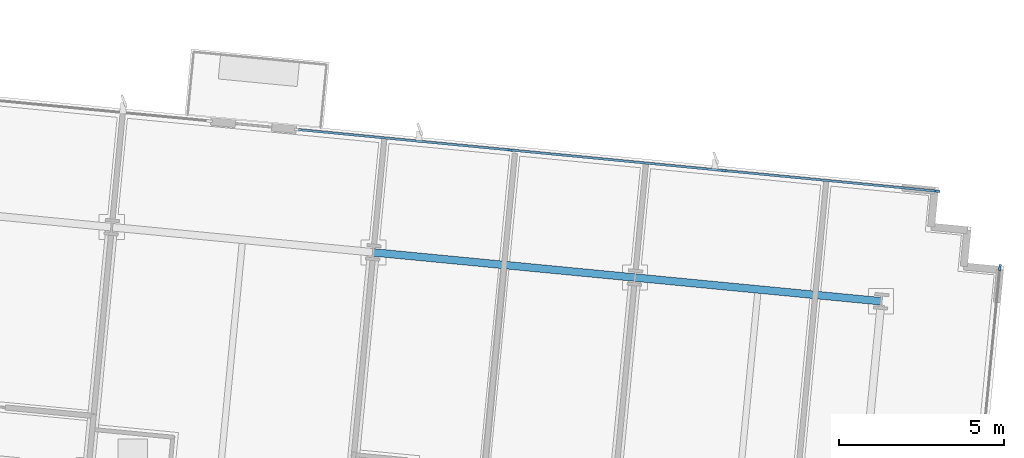
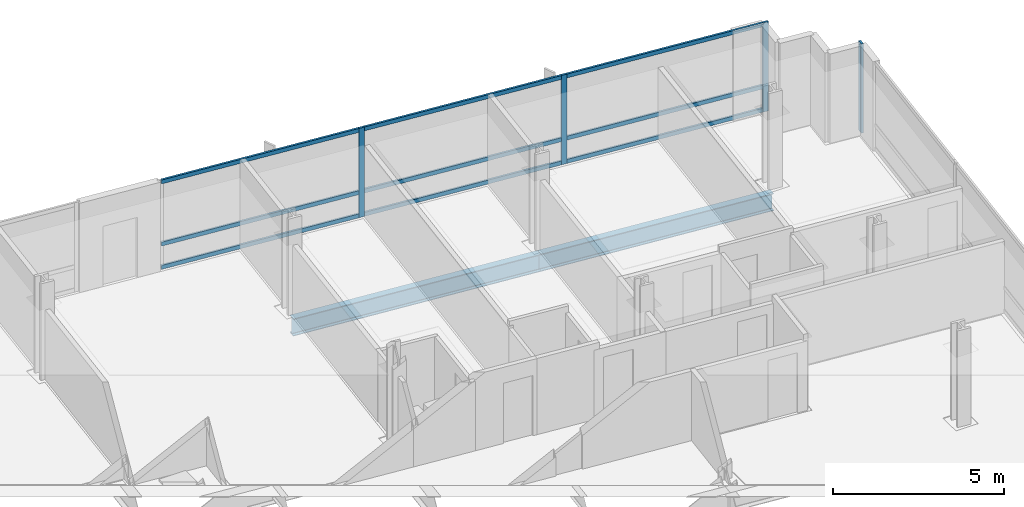
# One storey, part 8 of 17: 13 members, 2 beams, 2 elements without a shape of their own.
"""IFC4 building model written with IfcOpenShell, lengths in metres."""

from ifc_helpers import new_model, si_unit, direction, frame, origin, origin_2d, place, context, subcontext, project, spatial, rectangle, i_section, extrude, material, material_profile, profile_set, type_object, element, aggregate, save


model = new_model("IFC4")

# Units and contexts
model_context = context("Model", 3, precision=1e-05, world=origin(), true_north=direction((0.0, 1.0)))
body_context = subcontext(model_context, "Body", "Model", "MODEL_VIEW")
ifc_project = project(units=[si_unit("LENGTHUNIT", "METRE"), si_unit("AREAUNIT", "SQUARE_METRE"), si_unit("VOLUMEUNIT", "CUBIC_METRE"), si_unit("PLANEANGLEUNIT", "RADIAN"), si_unit("MASSUNIT", "GRAM", prefix="KILO")], contexts=[model_context])

# Site, building, storey
site_placement = place(None, origin())
site = spatial("IfcSite", under=ifc_project, at=site_placement, CompositionType="ELEMENT")
building_placement = place(site_placement, origin())
building = spatial("IfcBuilding", under=site, at=building_placement, Name="Solmavex Isthmus Hotel", CompositionType="ELEMENT")
storey_placement = place(building_placement, frame((0.0, 0.0, 139.35009765625)))
storey = spatial("IfcBuildingStorey", under=building, at=storey_placement, Name="L37", CompositionType="ELEMENT", Elevation=139.35009765625)

# Beams
ifc_material_1 = material(Name="Steel ASTM A992 Grade 50", Category="steel")
ifc_material_profile_1 = material_profile(ifc_material_1, i_section(OverallWidth=0.230224609375, OverallDepth=0.617431640625, WebThickness=0.01318359375, FlangeThickness=0.022216796875, FilletRadius=0.01513671875, at=origin_2d()), Name="W24X94")
ifc_profile_set_1 = profile_set([ifc_material_profile_1], Name="Steel ASTM A992 Grade 50")
beam_type = type_object("IfcBeamType", Name="BM-SP-W24X94", PredefinedType="SPANDREL", material=ifc_profile_set_1)
beam_1_placement = place(storey_placement, frame((9.1953125, 17.966552734375, -0.56884765625), z_axis=(0.995397440011, -0.095832856685, 0.0), x_axis=(0.095832856685, 0.995397440011, 0.0)))
element("IfcBeam", 1, at=beam_1_placement, inside=storey, type_object=beam_type, Name="Floor Girder L37-UG19", PredefinedType="SPANDREL", context=body_context, shape_type="SweptSolid", body=[
    extrude(i_section(OverallWidth=0.230224609375, OverallDepth=0.617431640625, WebThickness=0.01318359375, FlangeThickness=0.022216796875, FilletRadius=0.01513671875, at=origin_2d()), origin(), (0.0, 0.0, 1.0), 7.9560546875),
])
beam_2_placement = place(storey_placement, frame((17.11474609375, 17.2041015625, -0.56884765625), z_axis=(0.995395279593, -0.095855293875, 0.0), x_axis=(0.095855293875, 0.995395279593, 0.0)))
element("IfcBeam", 2, at=beam_2_placement, inside=storey, type_object=beam_type, Name="Floor Girder L37-UG20", PredefinedType="SPANDREL", context=body_context, shape_type="SweptSolid", body=[
    extrude(i_section(OverallWidth=0.230224609375, OverallDepth=0.617431640625, WebThickness=0.01318359375, FlangeThickness=0.022216796875, FilletRadius=0.01513671875, at=origin_2d()), origin(), (0.0, 0.0, 1.0), 7.488037109375),
])

# Curtain wall, members
ifc_material_2 = material(Name="Aluminium alloy 6063-T6", Category="aluminium")
curtain_wall_type = type_object("IfcCurtainWallType", Name="CW-SYS-03", PredefinedType="NOTDEFINED", material=ifc_material_2)
curtain_wall_1_placement = place(storey_placement, origin())
curtain_wall_1 = element("IfcCurtainWall", 3, at=curtain_wall_1_placement, inside=storey, type_object=curtain_wall_type, Name="Stick Curtain Wall CWL-L37-N3", PredefinedType="NOTDEFINED")
ifc_material_profile_2 = material_profile(ifc_material_2, rectangle(XDim=0.070068359375, YDim=0.179931640625, at=origin_2d()), Name="CWM-70X180")
ifc_profile_set_2 = profile_set([ifc_material_profile_2], Name="Aluminium alloy 6063-T6")
member_type_1 = type_object("IfcMemberType", Name="CW-SYS-03-MUL", PredefinedType="MULLION", material=ifc_profile_set_2)
member_1_placement = place(storey_placement, frame((13.340576171875, 21.0634765625, 0.0), z_axis=(0.0, 0.0, 1.0), x_axis=(0.095845735304, 0.995396200025, 0.0)))
member_1 = element("IfcMember", 4, at=member_1_placement, type_object=member_type_1, Name="CW-03 mullion 2", PredefinedType="MULLION", context=body_context, shape_type="SweptSolid", body=[
    extrude(rectangle(XDim=0.070068359375, YDim=0.179931640625, at=origin_2d()), origin(), (0.0, 0.0, 1.0), 3.18994140625),
])
member_2_placement = place(storey_placement, frame((19.818115234375, 20.439697265625, 0.0), z_axis=(0.0, 0.0, 1.0), x_axis=(0.095845735304, 0.995396200025, 0.0)))
member_2 = element("IfcMember", 5, at=member_2_placement, type_object=member_type_1, Name="CW-03 mullion 3", PredefinedType="MULLION", context=body_context, shape_type="SweptSolid", body=[
    extrude(rectangle(XDim=0.070068359375, YDim=0.179931640625, at=origin_2d()), origin(), (0.0, 0.0, 1.0), 3.18994140625),
])
member_3_placement = place(storey_placement, frame((26.260498046875, 19.819580078125, 0.0), z_axis=(0.0, 0.0, 1.0), x_axis=(0.095845735304, 0.995396200025, 0.0)))
member_3 = element("IfcMember", 6, at=member_3_placement, type_object=member_type_1, Name="CW-03 mullion 4", PredefinedType="MULLION", context=body_context, shape_type="SweptSolid", body=[
    extrude(rectangle(XDim=0.070068359375, YDim=0.179931640625, at=origin_2d()), origin(), (0.0, 0.0, 1.0), 3.18994140625),
])

# Curtain wall, member
curtain_wall_2_placement = place(storey_placement, origin())
curtain_wall_2 = element("IfcCurtainWall", 7, at=curtain_wall_2_placement, inside=storey, type_object=curtain_wall_type, Name="Stick Curtain Wall CWL-L37-E1", PredefinedType="NOTDEFINED")
member_4_placement = place(storey_placement, frame((28.1630859375, 17.511474609375, 0.0), z_axis=(0.0, 0.0, 1.0), x_axis=(-0.995396190038, 0.09584583902, 0.0)))
member_4 = element("IfcMember", 8, at=member_4_placement, type_object=member_type_1, Name="CW-03 mullion 6", PredefinedType="MULLION", context=body_context, shape_type="SweptSolid", body=[
    extrude(rectangle(XDim=0.070068359375, YDim=0.179931640625, at=origin_2d()), origin(), (0.0, 0.0, 1.0), 3.18994140625),
])
aggregate(curtain_wall_2, [member_4])

# Member
ifc_material_profile_3 = material_profile(ifc_material_2, rectangle(XDim=0.070068359375, YDim=0.139892578125, at=origin_2d()), Name="CWT-70X140")
ifc_profile_set_3 = profile_set([ifc_material_profile_3], Name="Aluminium alloy 6063-T6")
member_type_2 = type_object("IfcMemberType", Name="CW-SYS-03-TRN", PredefinedType="USERDEFINED", material=ifc_profile_set_3)
member_5_placement = place(storey_placement, frame((6.932861328125, 21.680419921875, 0.06982421875), z_axis=(0.995398123793, -0.095825754103, 0.0), x_axis=(0.095825754103, 0.995398123793, 0.0)))
member_5 = element("IfcMember", 9, at=member_5_placement, type_object=member_type_2, Name="CW-03 transom 1.1", ObjectType="TRANSOM", PredefinedType="USERDEFINED", context=body_context, shape_type="SweptSolid", body=[
    extrude(rectangle(XDim=0.070068359375, YDim=0.139892578125, at=origin_2d()), origin(), (0.0, 0.0, 1.0), 6.402587890625),
])

member_6_placement = place(storey_placement, frame((6.932861328125, 21.680419921875, 0.89990234375), z_axis=(0.995398123793, -0.095825754103, 0.0), x_axis=(0.095825754103, 0.995398123793, 0.0)))
member_6 = element("IfcMember", 10, at=member_6_placement, type_object=member_type_2, Name="CW-03 transom 1.2", ObjectType="TRANSOM", PredefinedType="USERDEFINED", context=body_context, shape_type="SweptSolid", body=[
    extrude(rectangle(XDim=0.070068359375, YDim=0.139892578125, at=origin_2d()), origin(), (0.0, 0.0, 1.0), 6.402587890625),
])

member_7_placement = place(storey_placement, frame((6.932861328125, 21.680419921875, 3.119873046875), z_axis=(0.995398123793, -0.095825754103, 0.0), x_axis=(0.095825754103, 0.995398123793, 0.0)))
member_7 = element("IfcMember", 11, at=member_7_placement, type_object=member_type_2, Name="CW-03 transom 1.3", ObjectType="TRANSOM", PredefinedType="USERDEFINED", context=body_context, shape_type="SweptSolid", body=[
    extrude(rectangle(XDim=0.070068359375, YDim=0.139892578125, at=origin_2d()), origin(), (0.0, 0.0, 1.0), 6.402587890625),
])

member_8_placement = place(storey_placement, frame((13.37548828125, 21.06005859375, 0.06982421875), z_axis=(0.995396930529, -0.095838148421, 0.0), x_axis=(0.095838148421, 0.995396930529, 0.0)))
member_8 = element("IfcMember", 12, at=member_8_placement, type_object=member_type_2, Name="CW-03 transom 2.1", ObjectType="TRANSOM", PredefinedType="USERDEFINED", context=body_context, shape_type="SweptSolid", body=[
    extrude(rectangle(XDim=0.070068359375, YDim=0.139892578125, at=origin_2d()), origin(), (0.0, 0.0, 1.0), 6.437255859375),
])

member_9_placement = place(storey_placement, frame((13.37548828125, 21.06005859375, 0.89990234375), z_axis=(0.995396930529, -0.095838148421, 0.0), x_axis=(0.095838148421, 0.995396930529, 0.0)))
member_9 = element("IfcMember", 13, at=member_9_placement, type_object=member_type_2, Name="CW-03 transom 2.2", ObjectType="TRANSOM", PredefinedType="USERDEFINED", context=body_context, shape_type="SweptSolid", body=[
    extrude(rectangle(XDim=0.070068359375, YDim=0.139892578125, at=origin_2d()), origin(), (0.0, 0.0, 1.0), 6.437255859375),
])

member_10_placement = place(storey_placement, frame((13.37548828125, 21.06005859375, 3.119873046875), z_axis=(0.995396930529, -0.095838148421, 0.0), x_axis=(0.095838148421, 0.995396930529, 0.0)))
member_10 = element("IfcMember", 14, at=member_10_placement, type_object=member_type_2, Name="CW-03 transom 2.3", ObjectType="TRANSOM", PredefinedType="USERDEFINED", context=body_context, shape_type="SweptSolid", body=[
    extrude(rectangle(XDim=0.070068359375, YDim=0.139892578125, at=origin_2d()), origin(), (0.0, 0.0, 1.0), 6.437255859375),
])

member_11_placement = place(storey_placement, frame((19.852783203125, 20.4365234375, 0.06982421875), z_axis=(0.995394485876, -0.09586353576, 0.0), x_axis=(0.09586353576, 0.995394485876, 0.0)))
member_11 = element("IfcMember", 15, at=member_11_placement, type_object=member_type_2, Name="CW-03 transom 3.1", ObjectType="TRANSOM", PredefinedType="USERDEFINED", context=body_context, shape_type="SweptSolid", body=[
    extrude(rectangle(XDim=0.070068359375, YDim=0.139892578125, at=origin_2d()), origin(), (0.0, 0.0, 1.0), 6.402587890625),
])

member_12_placement = place(storey_placement, frame((19.852783203125, 20.4365234375, 0.89990234375), z_axis=(0.995394485876, -0.09586353576, 0.0), x_axis=(0.09586353576, 0.995394485876, 0.0)))
member_12 = element("IfcMember", 16, at=member_12_placement, type_object=member_type_2, Name="CW-03 transom 3.2", ObjectType="TRANSOM", PredefinedType="USERDEFINED", context=body_context, shape_type="SweptSolid", body=[
    extrude(rectangle(XDim=0.070068359375, YDim=0.139892578125, at=origin_2d()), origin(), (0.0, 0.0, 1.0), 6.402587890625),
])

member_13_placement = place(storey_placement, frame((19.852783203125, 20.4365234375, 3.119873046875), z_axis=(0.995394485876, -0.09586353576, 0.0), x_axis=(0.09586353576, 0.995394485876, 0.0)))
member_13 = element("IfcMember", 17, at=member_13_placement, type_object=member_type_2, Name="CW-03 transom 3.3", ObjectType="TRANSOM", PredefinedType="USERDEFINED", context=body_context, shape_type="SweptSolid", body=[
    extrude(rectangle(XDim=0.070068359375, YDim=0.139892578125, at=origin_2d()), origin(), (0.0, 0.0, 1.0), 6.402587890625),
])

aggregate(curtain_wall_1, [member_1, member_2, member_3, member_5, member_6, member_7, member_8, member_9, member_10, member_11, member_12, member_13])

save(model, "model.ifc")
